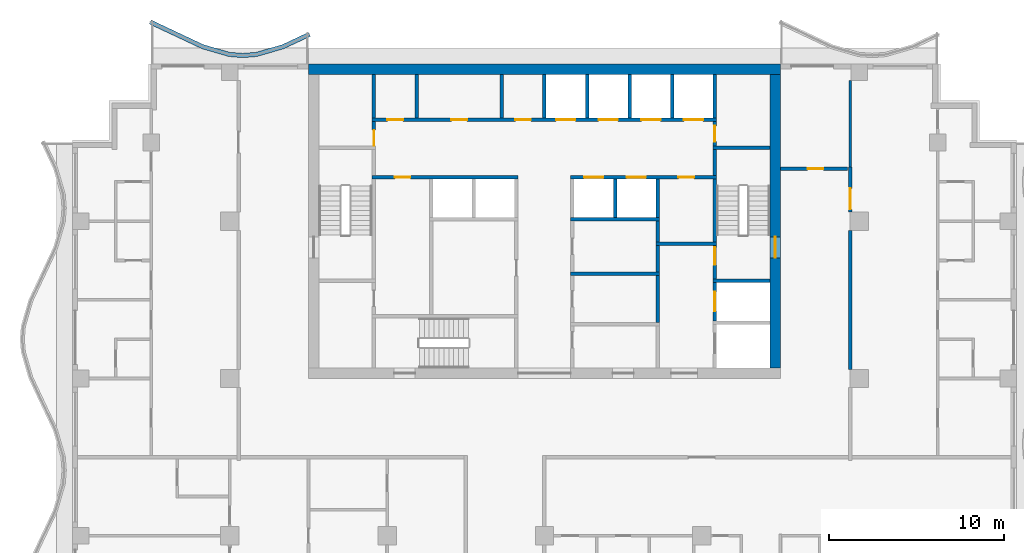
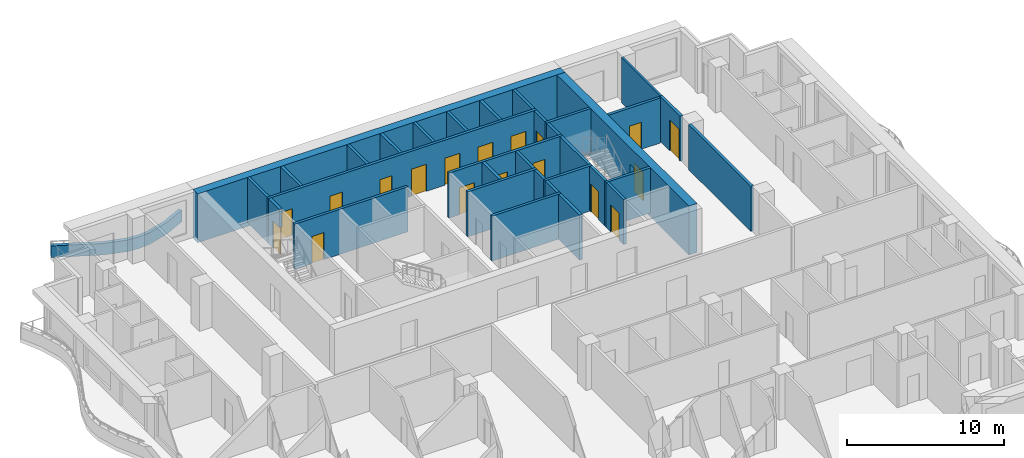
# One storey, part 6 of 11: 34 walls, 18 doors, 18 openings.
"""IFC4 building model written with IfcOpenShell, lengths in metres."""

from ifc_helpers import new_model, si_unit, direction, frame, frame_2d, origin, place, context, subcontext, project, spatial, polyline, rectangle, outline, extrude, material, layer, layer_set, type_object, element, fill, save


model = new_model("IFC4")

# Units and contexts
model_context = context("Model", 3, precision=1e-05, world=origin(), true_north=direction((0.0, 1.0)))
body_context = subcontext(model_context, "Body", "Model", "MODEL_VIEW")
ifc_project = project(units=[si_unit("LENGTHUNIT", "METRE"), si_unit("AREAUNIT", "SQUARE_METRE"), si_unit("VOLUMEUNIT", "CUBIC_METRE"), si_unit("PLANEANGLEUNIT", "RADIAN"), si_unit("MASSUNIT", "GRAM", prefix="KILO")], contexts=[model_context])

# Site, building, storey
site_placement = place(None, origin())
site = spatial("IfcSite", under=ifc_project, at=site_placement, CompositionType="ELEMENT")
building_placement = place(site_placement, origin())
building = spatial("IfcBuilding", under=site, at=building_placement, Name="Orbiselva Terraces", CompositionType="ELEMENT")
storey_placement = place(building_placement, frame((0.0, 0.0, 226.2)))
storey = spatial("IfcBuildingStorey", under=building, at=storey_placement, Name="L57", CompositionType="ELEMENT", Elevation=226.2)

# Wall, opening, door
ifc_material_1 = material(Name="Concrete C80/95", Category="concrete")
ifc_layer_1 = layer(ifc_material_1, 0.6)
ifc_layer_set_1 = layer_set([ifc_layer_1], Name="Concrete C80/95")
wall_type_1 = type_object("IfcWallType", Name="CORE WALL 600", PredefinedType="SHEAR", material=ifc_layer_set_1)
wall_1_placement = place(storey_placement, frame((13.2, 5.1, -0.3), z_axis=(0.0, 0.0, 1.0), x_axis=(0.0, 1.0, 0.0)))
wall_1 = element("IfcWall", 1, at=wall_1_placement, inside=storey, type_object=wall_type_1, Name="Core wall L57 east", PredefinedType="SHEAR", context=body_context, shape_type="SweptSolid", body=[
    extrude(rectangle(XDim=16.8, YDim=0.6, at=frame_2d((8.4, 0.0))), origin(), (0.0, 0.0, 1.0), 3.8),
])
opening_1_placement = place(wall_1_placement, frame((6.3, 0.0, 0.3)))
opening_1 = element("IfcOpeningElement", 2, at=opening_1_placement, cuts=wall_1, Name="Opening DS1200", PredefinedType="OPENING", context=body_context, shape_type="SweptSolid", body=[
    extrude(rectangle(XDim=1.2, YDim=2.2, at=frame_2d((0.6, 1.1))), frame((0.0, 0.31, 0.0), z_axis=(0.0, -1.0, 0.0), x_axis=(1.0, 0.0, 0.0)), (0.0, 0.0, 1.0), 0.62),
])
ifc_material_2 = material(Name="Steel fire door", Category="steel")
door_type_1 = type_object("IfcDoorType", Name="STAIR DOOR 1200", OperationType="NOTDEFINED", PredefinedType="DOOR", material=ifc_material_2)
door_1_placement = place(opening_1_placement, frame((1.2, 0.0, 0.0), z_axis=(0.0, 0.0, 1.0), x_axis=(-1.0, 0.0, 0.0)))
door_1 = element("IfcDoor", 3, at=door_1_placement, inside=storey, type_object=door_type_1, Name="L57 EXIT STAIR S2 door", OperationType="SINGLE_SWING_LEFT", OverallHeight=2.2, OverallWidth=1.2, PredefinedType="DOOR", context=body_context, shape_type="SweptSolid", body=[
    extrude(rectangle(XDim=1.2, YDim=2.2, at=frame_2d((0.6, 1.1))), frame((0.0, 0.025, 0.0), z_axis=(0.0, -1.0, 0.0), x_axis=(1.0, 0.0, 0.0)), (0.0, 0.0, 1.0), 0.05),
])
fill(opening_1, door_1)

# Wall
ifc_layer_2 = layer(ifc_material_1, 0.6)
ifc_layer_set_2 = layer_set([ifc_layer_2], Name="Concrete C80/95")
wall_type_2 = type_object("IfcWallType", Name="CORE WALL 600 EXTERNAL", PredefinedType="SHEAR", material=ifc_layer_set_2)
wall_2_placement = place(storey_placement, frame((13.5, 22.2, -0.3), z_axis=(0.0, 0.0, 1.0), x_axis=(-1.0, 0.0, 0.0)))
element("IfcWall", 4, at=wall_2_placement, inside=storey, type_object=wall_type_2, Name="Core wall L57 north", PredefinedType="SHEAR", context=body_context, shape_type="SweptSolid", body=[
    extrude(rectangle(XDim=27.0, YDim=0.6, at=frame_2d((13.5, 0.0))), origin(), (0.0, 0.0, 1.0), 3.8),
])

# Wall, opening, door
ifc_material_3 = material(Name="Masonry blockwork", Category="masonry")
ifc_layer_3 = layer(ifc_material_3, 0.2)
ifc_layer_set_3 = layer_set([ifc_layer_3], Name="Masonry blockwork")
wall_type_3 = type_object("IfcWallType", Name="CORE-WALL-PARTITION-200", PredefinedType="PARTITIONING", material=ifc_layer_set_3)
wall_3_placement = place(storey_placement, frame((-9.75, 17.8, 0.0), z_axis=(0.0, 0.0, 1.0), x_axis=(0.0, 1.0, 0.0)))
wall_3 = element("IfcWall", 5, at=wall_3_placement, inside=storey, type_object=wall_type_3, Name="L57 core wall 09", PredefinedType="PARTITIONING", context=body_context, shape_type="SweptSolid", body=[
    extrude(rectangle(XDim=1.4, YDim=0.2, at=frame_2d((0.7, 0.0))), origin(), (0.0, 0.0, 1.0), 3.5),
])
opening_2_placement = place(wall_3_placement, origin())
opening_2 = element("IfcOpeningElement", 6, at=opening_2_placement, cuts=wall_3, Name="Opening DR900", PredefinedType="OPENING", context=body_context, shape_type="SweptSolid", body=[
    extrude(rectangle(XDim=0.9, YDim=2.1, at=frame_2d((0.45, 1.05))), frame((0.0, 0.11, 0.0), z_axis=(0.0, -1.0, 0.0), x_axis=(1.0, 0.0, 0.0)), (0.0, 0.0, 1.0), 0.22),
])
door_type_2 = type_object("IfcDoorType", Name="ROOM DOOR 900", OperationType="NOTDEFINED", PredefinedType="DOOR", material=ifc_material_2)
door_2_placement = place(opening_2_placement, origin())
door_2 = element("IfcDoor", 7, at=door_2_placement, inside=storey, type_object=door_type_2, Name="L57 ELECTRICAL RISER ROOM door", OperationType="SINGLE_SWING_LEFT", OverallHeight=2.1, OverallWidth=0.9, PredefinedType="DOOR", context=body_context, shape_type="SweptSolid", body=[
    extrude(rectangle(XDim=0.9, YDim=2.1, at=frame_2d((0.45, 1.05))), frame((0.0, 0.025, 0.0), z_axis=(0.0, -1.0, 0.0), x_axis=(1.0, 0.0, 0.0)), (0.0, 0.0, 1.0), 0.05),
])
fill(opening_2, door_2)

# Walls
for number, where, z_axis, x_axis, name in (
    (8, (-9.75, 19.4, 0.0), (0.0, 0.0, 1.0), (0.0, 1.0, 0.0), "L57 core wall 11"),
    (9, (-7.3125, 19.4, 0.0), (0.0, 0.0, 1.0), (0.0, 1.0, 0.0), "L57 core wall 12"),
    (10, (-2.4375, 19.4, 0.0), (0.0, 0.0, 1.0), (0.0, 1.0, 0.0), "L57 core wall 17"),
):
    element("IfcWall", number, at=place(storey_placement, frame(where, z_axis=z_axis, x_axis=x_axis)), inside=storey, type_object=wall_type_3, Name=name, PredefinedType="PARTITIONING", context=body_context, shape_type="SweptSolid", body=[
        extrude(rectangle(XDim=2.5, YDim=0.2, at=frame_2d((1.25, 0.0))), origin(), (0.0, 0.0, 1.0), 3.5),
    ])
wall_4_placement = place(storey_placement, frame((6.475, 12.3, 0.0), z_axis=(0.0, 0.0, 1.0), x_axis=(0.0, 1.0, 0.0)))
element("IfcWall", 11, at=wall_4_placement, inside=storey, type_object=wall_type_3, Name="L57 core wall 37", PredefinedType="PARTITIONING", context=body_context, shape_type="SweptSolid", body=[
    extrude(rectangle(XDim=1.2, YDim=0.2, at=frame_2d((0.6, 0.0))), origin(), (0.0, 0.0, 1.0), 3.5),
])

# Wall, opening, door
wall_5_placement = place(storey_placement, frame((9.75, 19.2, 0.0), z_axis=(0.0, 0.0, 1.0), x_axis=(0.0, -1.0, 0.0)))
wall_5 = element("IfcWall", 12, at=wall_5_placement, inside=storey, type_object=wall_type_3, Name="L57 core wall 48", PredefinedType="PARTITIONING", context=body_context, shape_type="SweptSolid", body=[
    extrude(rectangle(XDim=1.4, YDim=0.2, at=frame_2d((0.7, 0.0))), origin(), (0.0, 0.0, 1.0), 3.5),
])
opening_3_placement = place(wall_5_placement, frame((0.25, 0.0, 0.0)))
opening_3 = element("IfcOpeningElement", 13, at=opening_3_placement, cuts=wall_5, Name="Opening DR900", PredefinedType="OPENING", context=body_context, shape_type="SweptSolid", body=[
    extrude(rectangle(XDim=0.9, YDim=2.1, at=frame_2d((0.45, 1.05))), frame((0.0, 0.11, 0.0), z_axis=(0.0, -1.0, 0.0), x_axis=(1.0, 0.0, 0.0)), (0.0, 0.0, 1.0), 0.22),
])
door_3_placement = place(opening_3_placement, origin())
door_3 = element("IfcDoor", 14, at=door_3_placement, inside=storey, type_object=door_type_2, Name="L57 COMMS RISER ROOM door", OperationType="SINGLE_SWING_RIGHT", OverallHeight=2.1, OverallWidth=0.9, PredefinedType="DOOR", context=body_context, shape_type="SweptSolid", body=[
    extrude(rectangle(XDim=0.9, YDim=2.1, at=frame_2d((0.45, 1.05))), frame((0.0, 0.025, 0.0), z_axis=(0.0, -1.0, 0.0), x_axis=(1.0, 0.0, 0.0)), (0.0, 0.0, 1.0), 0.05),
])
fill(opening_3, door_3)

# Walls
ifc_material_4 = material(Name="Concrete C40/50", Category="concrete")
ifc_layer_4 = layer(ifc_material_4, 0.2)
ifc_layer_set_4 = layer_set([ifc_layer_4], Name="Concrete C40/50")
wall_type_4 = type_object("IfcWallType", Name="CORE-WALL-SHAFT-200", PredefinedType="PARTITIONING", material=ifc_layer_set_4)
for number, where, z_axis, x_axis, name in (
    (15, (0.0, 19.4, 0.0), (0.0, 0.0, 1.0), (0.0, 1.0, 0.0), "L57 core wall 21"),
    (16, (2.4375, 19.4, 0.0), (0.0, 0.0, 1.0), (0.0, 1.0, 0.0), "L57 core wall 30"),
):
    element("IfcWall", number, at=place(storey_placement, frame(where, z_axis=z_axis, x_axis=x_axis)), inside=storey, type_object=wall_type_4, Name=name, PredefinedType="PARTITIONING", context=body_context, shape_type="SweptSolid", body=[
        extrude(rectangle(XDim=2.5, YDim=0.2, at=frame_2d((1.25, 0.0))), origin(), (0.0, 0.0, 1.0), 3.5),
    ])
wall_6_placement = place(storey_placement, frame((4.0375, 13.7, 0.0), z_axis=(0.0, 0.0, 1.0), x_axis=(0.0, 1.0, 0.0)))
element("IfcWall", 17, at=wall_6_placement, inside=storey, type_object=wall_type_4, Name="L57 core wall 31", PredefinedType="PARTITIONING", context=body_context, shape_type="SweptSolid", body=[
    extrude(rectangle(XDim=2.2, YDim=0.2, at=frame_2d((1.1, 0.0))), origin(), (0.0, 0.0, 1.0), 3.5),
])
wall_7_placement = place(storey_placement, frame((4.875, 19.4, 0.0), z_axis=(0.0, 0.0, 1.0), x_axis=(0.0, 1.0, 0.0)))
element("IfcWall", 18, at=wall_7_placement, inside=storey, type_object=wall_type_4, Name="L57 core wall 32", PredefinedType="PARTITIONING", context=body_context, shape_type="SweptSolid", body=[
    extrude(rectangle(XDim=2.5, YDim=0.2, at=frame_2d((1.25, 0.0))), origin(), (0.0, 0.0, 1.0), 3.5),
])
wall_8_placement = place(storey_placement, frame((6.475, 13.7, 0.0), z_axis=(0.0, 0.0, 1.0), x_axis=(0.0, 1.0, 0.0)))
element("IfcWall", 19, at=wall_8_placement, inside=storey, type_object=wall_type_4, Name="L57 core wall 38", PredefinedType="PARTITIONING", context=body_context, shape_type="SweptSolid", body=[
    extrude(rectangle(XDim=2.2, YDim=0.2, at=frame_2d((1.1, 0.0))), origin(), (0.0, 0.0, 1.0), 3.5),
])
for number, where, z_axis, x_axis, name in (
    (20, (7.3125, 19.4, 0.0), (0.0, 0.0, 1.0), (0.0, 1.0, 0.0), "L57 core wall 39"),
    (21, (9.75, 19.4, 0.0), (0.0, 0.0, 1.0), (0.0, 1.0, 0.0), "L57 core wall 49"),
):
    element("IfcWall", number, at=place(storey_placement, frame(where, z_axis=z_axis, x_axis=x_axis)), inside=storey, type_object=wall_type_4, Name=name, PredefinedType="PARTITIONING", context=body_context, shape_type="SweptSolid", body=[
        extrude(rectangle(XDim=2.5, YDim=0.2, at=frame_2d((1.25, 0.0))), origin(), (0.0, 0.0, 1.0), 3.5),
    ])

# Wall, opening, door
ifc_material_5 = material(Name="Concrete C60/75", Category="concrete")
ifc_layer_5 = layer(ifc_material_5, 0.2)
ifc_layer_set_5 = layer_set([ifc_layer_5], Name="Concrete C60/75")
wall_type_5 = type_object("IfcWallType", Name="CORE-WALL-SHEAR-200", PredefinedType="SHEAR", material=ifc_layer_set_5)
wall_9_placement = place(storey_placement, frame((-1.5, 16.0, 0.0), z_axis=(0.0, 0.0, 1.0), x_axis=(-1.0, 0.0, 0.0)))
wall_9 = element("IfcWall", 22, at=wall_9_placement, inside=storey, type_object=wall_type_5, Name="L57 core wall 07", PredefinedType="SHEAR", context=body_context, shape_type="SweptSolid", body=[
    extrude(rectangle(XDim=8.35, YDim=0.2, at=frame_2d((4.175, 0.0))), origin(), (0.0, 0.0, 1.0), 3.5),
])
opening_4_placement = place(wall_9_placement, frame((6.1625, 0.0, 0.0)))
opening_4 = element("IfcOpeningElement", 23, at=opening_4_placement, cuts=wall_9, Name="Opening DR900", PredefinedType="OPENING", context=body_context, shape_type="SweptSolid", body=[
    extrude(rectangle(XDim=0.9, YDim=2.1, at=frame_2d((0.45, 1.05))), frame((0.0, 0.11, 0.0), z_axis=(0.0, -1.0, 0.0), x_axis=(1.0, 0.0, 0.0)), (0.0, 0.0, 1.0), 0.22),
])
door_4_placement = place(opening_4_placement, origin())
door_4 = element("IfcDoor", 24, at=door_4_placement, inside=storey, type_object=door_type_2, Name="L57 STAFF PANTRY door", OperationType="SINGLE_SWING_RIGHT", OverallHeight=2.1, OverallWidth=0.9, PredefinedType="DOOR", context=body_context, shape_type="SweptSolid", body=[
    extrude(rectangle(XDim=0.9, YDim=2.1, at=frame_2d((0.45, 1.05))), frame((0.0, 0.025, 0.0), z_axis=(0.0, -1.0, 0.0), x_axis=(1.0, 0.0, 0.0)), (0.0, 0.0, 1.0), 0.05),
])
fill(opening_4, door_4)

# Wall, openings, doors
wall_10_placement = place(storey_placement, frame((-9.85, 19.3, 0.0), z_axis=(0.0, 0.0, 1.0), x_axis=(1.0, 0.0, 0.0)))
wall_10 = element("IfcWall", 25, at=wall_10_placement, inside=storey, type_object=wall_type_5, Name="L57 core wall 10", PredefinedType="SHEAR", context=body_context, shape_type="SweptSolid", body=[
    extrude(rectangle(XDim=19.7, YDim=0.2, at=frame_2d((9.85, 0.0))), origin(), (0.0, 0.0, 1.0), 3.5),
])
opening_5_placement = place(wall_10_placement, frame((10.51875, 0.0, 0.0)))
opening_5 = element("IfcOpeningElement", 26, at=opening_5_placement, cuts=wall_10, Name="Opening LD-HR1", PredefinedType="OPENING", context=body_context, shape_type="SweptSolid", body=[
    extrude(rectangle(XDim=1.1, YDim=2.1, at=frame_2d((0.55, 1.05))), frame((0.0, 0.11, 0.0), z_axis=(0.0, -1.0, 0.0), x_axis=(1.0, 0.0, 0.0)), (0.0, 0.0, 1.0), 0.22),
])
opening_6_placement = place(wall_10_placement, frame((12.95625, 0.0, 0.0)))
opening_6 = element("IfcOpeningElement", 27, at=opening_6_placement, cuts=wall_10, Name="Opening LD-HR2", PredefinedType="OPENING", context=body_context, shape_type="SweptSolid", body=[
    extrude(rectangle(XDim=1.1, YDim=2.1, at=frame_2d((0.55, 1.05))), frame((0.0, 0.11, 0.0), z_axis=(0.0, -1.0, 0.0), x_axis=(1.0, 0.0, 0.0)), (0.0, 0.0, 1.0), 0.22),
])
opening_7_placement = place(wall_10_placement, frame((15.39375, 0.0, 0.0)))
opening_7 = element("IfcOpeningElement", 28, at=opening_7_placement, cuts=wall_10, Name="Opening LD-HR3", PredefinedType="OPENING", context=body_context, shape_type="SweptSolid", body=[
    extrude(rectangle(XDim=1.1, YDim=2.1, at=frame_2d((0.55, 1.05))), frame((0.0, 0.11, 0.0), z_axis=(0.0, -1.0, 0.0), x_axis=(1.0, 0.0, 0.0)), (0.0, 0.0, 1.0), 0.22),
])
opening_8_placement = place(wall_10_placement, frame((17.83125, 0.0, 0.0)))
opening_8 = element("IfcOpeningElement", 29, at=opening_8_placement, cuts=wall_10, Name="Opening LD-HR4", PredefinedType="OPENING", context=body_context, shape_type="SweptSolid", body=[
    extrude(rectangle(XDim=1.1, YDim=2.1, at=frame_2d((0.55, 1.05))), frame((0.0, 0.11, 0.0), z_axis=(0.0, -1.0, 0.0), x_axis=(1.0, 0.0, 0.0)), (0.0, 0.0, 1.0), 0.22),
])
opening_9_placement = place(wall_10_placement, frame((0.8688, 0.0, 0.0)))
opening_9 = element("IfcOpeningElement", 30, at=opening_9_placement, cuts=wall_10, Name="Opening DR900", PredefinedType="OPENING", context=body_context, shape_type="SweptSolid", body=[
    extrude(rectangle(XDim=0.9, YDim=2.1, at=frame_2d((0.45, 1.05))), frame((0.0, 0.11, 0.0), z_axis=(0.0, -1.0, 0.0), x_axis=(1.0, 0.0, 0.0)), (0.0, 0.0, 1.0), 0.22),
])
opening_10_placement = place(wall_10_placement, frame((4.525, 0.0, 0.0)))
opening_10 = element("IfcOpeningElement", 31, at=opening_10_placement, cuts=wall_10, Name="Opening DR900", PredefinedType="OPENING", context=body_context, shape_type="SweptSolid", body=[
    extrude(rectangle(XDim=0.9, YDim=2.1, at=frame_2d((0.45, 1.05))), frame((0.0, 0.11, 0.0), z_axis=(0.0, -1.0, 0.0), x_axis=(1.0, 0.0, 0.0)), (0.0, 0.0, 1.0), 0.22),
])
opening_11_placement = place(wall_10_placement, frame((8.1812, 0.0, 0.0)))
opening_11 = element("IfcOpeningElement", 32, at=opening_11_placement, cuts=wall_10, Name="Opening DR900", PredefinedType="OPENING", context=body_context, shape_type="SweptSolid", body=[
    extrude(rectangle(XDim=0.9, YDim=2.1, at=frame_2d((0.45, 1.05))), frame((0.0, 0.11, 0.0), z_axis=(0.0, -1.0, 0.0), x_axis=(1.0, 0.0, 0.0)), (0.0, 0.0, 1.0), 0.22),
])
ifc_material_6 = material(Name="Stainless steel landing door", Category="steel")
door_type_3 = type_object("IfcDoorType", Name="LANDING DOOR 1100", OperationType="SLIDING_TO_LEFT", PredefinedType="DOOR", material=ifc_material_6)
door_5_placement = place(opening_5_placement, origin())
door_5 = element("IfcDoor", 33, at=door_5_placement, inside=storey, type_object=door_type_3, Name="L57 landing door HR1", OperationType="SLIDING_TO_RIGHT", OverallHeight=2.1, OverallWidth=1.1, PredefinedType="DOOR", context=body_context, shape_type="SweptSolid", body=[
    extrude(rectangle(XDim=1.1, YDim=2.1, at=frame_2d((0.55, 1.05))), frame((0.0, 0.025, 0.0), z_axis=(0.0, -1.0, 0.0), x_axis=(1.0, 0.0, 0.0)), (0.0, 0.0, 1.0), 0.05),
])
fill(opening_5, door_5)
door_6_placement = place(opening_6_placement, origin())
door_6 = element("IfcDoor", 34, at=door_6_placement, inside=storey, type_object=door_type_3, Name="L57 landing door HR2", OperationType="SLIDING_TO_RIGHT", OverallHeight=2.1, OverallWidth=1.1, PredefinedType="DOOR", context=body_context, shape_type="SweptSolid", body=[
    extrude(rectangle(XDim=1.1, YDim=2.1, at=frame_2d((0.55, 1.05))), frame((0.0, 0.025, 0.0), z_axis=(0.0, -1.0, 0.0), x_axis=(1.0, 0.0, 0.0)), (0.0, 0.0, 1.0), 0.05),
])
fill(opening_6, door_6)
door_7_placement = place(opening_7_placement, origin())
door_7 = element("IfcDoor", 35, at=door_7_placement, inside=storey, type_object=door_type_3, Name="L57 landing door HR3", OperationType="SLIDING_TO_RIGHT", OverallHeight=2.1, OverallWidth=1.1, PredefinedType="DOOR", context=body_context, shape_type="SweptSolid", body=[
    extrude(rectangle(XDim=1.1, YDim=2.1, at=frame_2d((0.55, 1.05))), frame((0.0, 0.025, 0.0), z_axis=(0.0, -1.0, 0.0), x_axis=(1.0, 0.0, 0.0)), (0.0, 0.0, 1.0), 0.05),
])
fill(opening_7, door_7)
door_8_placement = place(opening_8_placement, origin())
door_8 = element("IfcDoor", 36, at=door_8_placement, inside=storey, type_object=door_type_3, Name="L57 landing door HR4", OperationType="SLIDING_TO_RIGHT", OverallHeight=2.1, OverallWidth=1.1, PredefinedType="DOOR", context=body_context, shape_type="SweptSolid", body=[
    extrude(rectangle(XDim=1.1, YDim=2.1, at=frame_2d((0.55, 1.05))), frame((0.0, 0.025, 0.0), z_axis=(0.0, -1.0, 0.0), x_axis=(1.0, 0.0, 0.0)), (0.0, 0.0, 1.0), 0.05),
])
fill(opening_8, door_8)
door_9_placement = place(opening_9_placement, origin())
door_9 = element("IfcDoor", 37, at=door_9_placement, inside=storey, type_object=door_type_2, Name="L57 STORE door", OperationType="SINGLE_SWING_LEFT", OverallHeight=2.1, OverallWidth=0.9, PredefinedType="DOOR", context=body_context, shape_type="SweptSolid", body=[
    extrude(rectangle(XDim=0.9, YDim=2.1, at=frame_2d((0.45, 1.05))), frame((0.0, 0.025, 0.0), z_axis=(0.0, -1.0, 0.0), x_axis=(1.0, 0.0, 0.0)), (0.0, 0.0, 1.0), 0.05),
])
fill(opening_9, door_9)
door_10_placement = place(opening_10_placement, origin())
door_10 = element("IfcDoor", 38, at=door_10_placement, inside=storey, type_object=door_type_2, Name="L57 IT ROOM door", OperationType="SINGLE_SWING_LEFT", OverallHeight=2.1, OverallWidth=0.9, PredefinedType="DOOR", context=body_context, shape_type="SweptSolid", body=[
    extrude(rectangle(XDim=0.9, YDim=2.1, at=frame_2d((0.45, 1.05))), frame((0.0, 0.025, 0.0), z_axis=(0.0, -1.0, 0.0), x_axis=(1.0, 0.0, 0.0)), (0.0, 0.0, 1.0), 0.05),
])
fill(opening_10, door_10)
door_11_placement = place(opening_11_placement, origin())
door_11 = element("IfcDoor", 39, at=door_11_placement, inside=storey, type_object=door_type_2, Name="L57 CLEANERS STORE door", OperationType="SINGLE_SWING_LEFT", OverallHeight=2.1, OverallWidth=0.9, PredefinedType="DOOR", context=body_context, shape_type="SweptSolid", body=[
    extrude(rectangle(XDim=0.9, YDim=2.1, at=frame_2d((0.45, 1.05))), frame((0.0, 0.025, 0.0), z_axis=(0.0, -1.0, 0.0), x_axis=(1.0, 0.0, 0.0)), (0.0, 0.0, 1.0), 0.05),
])
fill(opening_11, door_11)

# Walls
for number, where, z_axis, x_axis, name in (
    (40, (1.5, 10.5, 0.0), (0.0, 0.0, 1.0), (1.0, 0.0, 0.0), "L57 core wall 25"),
    (41, (1.5, 13.6, 0.0), (0.0, 0.0, 1.0), (1.0, 0.0, 0.0), "L57 core wall 27"),
):
    element("IfcWall", number, at=place(storey_placement, frame(where, z_axis=z_axis, x_axis=x_axis)), inside=storey, type_object=wall_type_5, Name=name, PredefinedType="SHEAR", context=body_context, shape_type="SweptSolid", body=[
        extrude(rectangle(XDim=5.075, YDim=0.2, at=frame_2d((2.5375, 0.0))), origin(), (0.0, 0.0, 1.0), 3.5),
    ])

# Wall, openings, doors
wall_11_placement = place(storey_placement, frame((9.85, 16.0, 0.0), z_axis=(0.0, 0.0, 1.0), x_axis=(-1.0, 0.0, 0.0)))
wall_11 = element("IfcWall", 42, at=wall_11_placement, inside=storey, type_object=wall_type_5, Name="L57 core wall 29", PredefinedType="SHEAR", context=body_context, shape_type="SweptSolid", body=[
    extrude(rectangle(XDim=8.35, YDim=0.2, at=frame_2d((4.175, 0.0))), origin(), (0.0, 0.0, 1.0), 3.5),
])
opening_12_placement = place(wall_11_placement, frame((6.48125, 0.0, 0.0)))
opening_12 = element("IfcOpeningElement", 43, at=opening_12_placement, cuts=wall_11, Name="Opening LD-HR5", PredefinedType="OPENING", context=body_context, shape_type="SweptSolid", body=[
    extrude(rectangle(XDim=1.1, YDim=2.1, at=frame_2d((0.55, 1.05))), frame((0.0, 0.11, 0.0), z_axis=(0.0, -1.0, 0.0), x_axis=(1.0, 0.0, 0.0)), (0.0, 0.0, 1.0), 0.22),
])
opening_13_placement = place(wall_11_placement, frame((4.04375, 0.0, 0.0)))
opening_13 = element("IfcOpeningElement", 44, at=opening_13_placement, cuts=wall_11, Name="Opening LD-HR6", PredefinedType="OPENING", context=body_context, shape_type="SweptSolid", body=[
    extrude(rectangle(XDim=1.1, YDim=2.1, at=frame_2d((0.55, 1.05))), frame((0.0, 0.11, 0.0), z_axis=(0.0, -1.0, 0.0), x_axis=(1.0, 0.0, 0.0)), (0.0, 0.0, 1.0), 0.22),
])
opening_14_placement = place(wall_11_placement, frame((1.2875, 0.0, 0.0)))
opening_14 = element("IfcOpeningElement", 45, at=opening_14_placement, cuts=wall_11, Name="Opening DR900", PredefinedType="OPENING", context=body_context, shape_type="SweptSolid", body=[
    extrude(rectangle(XDim=0.9, YDim=2.1, at=frame_2d((0.45, 1.05))), frame((0.0, 0.11, 0.0), z_axis=(0.0, -1.0, 0.0), x_axis=(1.0, 0.0, 0.0)), (0.0, 0.0, 1.0), 0.22),
])
door_12_placement = place(opening_12_placement, origin())
door_12 = element("IfcDoor", 46, at=door_12_placement, inside=storey, type_object=door_type_3, Name="L57 landing door HR5", OperationType="SLIDING_TO_RIGHT", OverallHeight=2.1, OverallWidth=1.1, PredefinedType="DOOR", context=body_context, shape_type="SweptSolid", body=[
    extrude(rectangle(XDim=1.1, YDim=2.1, at=frame_2d((0.55, 1.05))), frame((0.0, 0.025, 0.0), z_axis=(0.0, -1.0, 0.0), x_axis=(1.0, 0.0, 0.0)), (0.0, 0.0, 1.0), 0.05),
])
fill(opening_12, door_12)
door_13_placement = place(opening_13_placement, origin())
door_13 = element("IfcDoor", 47, at=door_13_placement, inside=storey, type_object=door_type_3, Name="L57 landing door HR6", OperationType="SLIDING_TO_RIGHT", OverallHeight=2.1, OverallWidth=1.1, PredefinedType="DOOR", context=body_context, shape_type="SweptSolid", body=[
    extrude(rectangle(XDim=1.1, YDim=2.1, at=frame_2d((0.55, 1.05))), frame((0.0, 0.025, 0.0), z_axis=(0.0, -1.0, 0.0), x_axis=(1.0, 0.0, 0.0)), (0.0, 0.0, 1.0), 0.05),
])
fill(opening_13, door_13)
door_14_placement = place(opening_14_placement, origin())
door_14 = element("IfcDoor", 48, at=door_14_placement, inside=storey, type_object=door_type_2, Name="L57 PIPE RISER ROOM door", OperationType="SINGLE_SWING_LEFT", OverallHeight=2.1, OverallWidth=0.9, PredefinedType="DOOR", context=body_context, shape_type="SweptSolid", body=[
    extrude(rectangle(XDim=0.9, YDim=2.1, at=frame_2d((0.45, 1.05))), frame((0.0, 0.025, 0.0), z_axis=(0.0, -1.0, 0.0), x_axis=(1.0, 0.0, 0.0)), (0.0, 0.0, 1.0), 0.05),
])
fill(opening_14, door_14)

# Walls
wall_12_placement = place(storey_placement, frame((6.475, 7.7, 0.0), z_axis=(0.0, 0.0, 1.0), x_axis=(0.0, 1.0, 0.0)))
element("IfcWall", 49, at=wall_12_placement, inside=storey, type_object=wall_type_5, Name="L57 core wall 34", PredefinedType="SHEAR", context=body_context, shape_type="SweptSolid", body=[
    extrude(rectangle(XDim=2.7, YDim=0.2, at=frame_2d((1.35, 0.0))), origin(), (0.0, 0.0, 1.0), 3.5),
])
wall_13_placement = place(storey_placement, frame((6.475, 10.6, 0.0), z_axis=(0.0, 0.0, 1.0), x_axis=(0.0, 1.0, 0.0)))
element("IfcWall", 50, at=wall_13_placement, inside=storey, type_object=wall_type_5, Name="L57 core wall 35", PredefinedType="SHEAR", context=body_context, shape_type="SweptSolid", body=[
    extrude(rectangle(XDim=1.5, YDim=0.2, at=frame_2d((0.75, 0.0))), origin(), (0.0, 0.0, 1.0), 3.5),
])
wall_14_placement = place(storey_placement, frame((6.375, 12.2, 0.0), z_axis=(0.0, 0.0, 1.0), x_axis=(1.0, 0.0, 0.0)))
element("IfcWall", 51, at=wall_14_placement, inside=storey, type_object=wall_type_5, Name="L57 core wall 36", PredefinedType="SHEAR", context=body_context, shape_type="SweptSolid", body=[
    extrude(rectangle(XDim=3.475, YDim=0.2, at=frame_2d((1.7375, 0.0))), origin(), (0.0, 0.0, 1.0), 3.5),
])

# Wall, opening, door
wall_15_placement = place(storey_placement, frame((9.75, 7.8, 0.0), z_axis=(0.0, 0.0, 1.0), x_axis=(0.0, 1.0, 0.0)))
wall_15 = element("IfcWall", 52, at=wall_15_placement, inside=storey, type_object=wall_type_5, Name="L57 core wall 42", PredefinedType="SHEAR", context=body_context, shape_type="SweptSolid", body=[
    extrude(rectangle(XDim=2.2, YDim=0.2, at=frame_2d((1.1, 0.0))), origin(), (0.0, 0.0, 1.0), 3.5),
])
opening_15_placement = place(wall_15_placement, frame((0.55, 0.0, 0.0)))
opening_15 = element("IfcOpeningElement", 53, at=opening_15_placement, cuts=wall_15, Name="Opening LD-FF2", PredefinedType="OPENING", context=body_context, shape_type="SweptSolid", body=[
    extrude(rectangle(XDim=1.1, YDim=2.1, at=frame_2d((0.55, 1.05))), frame((0.0, 0.11, 0.0), z_axis=(0.0, -1.0, 0.0), x_axis=(1.0, 0.0, 0.0)), (0.0, 0.0, 1.0), 0.22),
])
door_15_placement = place(opening_15_placement, origin())
door_15 = element("IfcDoor", 54, at=door_15_placement, inside=storey, type_object=door_type_3, Name="L57 landing door FF2", OperationType="SLIDING_TO_RIGHT", OverallHeight=2.1, OverallWidth=1.1, PredefinedType="DOOR", context=body_context, shape_type="SweptSolid", body=[
    extrude(rectangle(XDim=1.1, YDim=2.1, at=frame_2d((0.55, 1.05))), frame((0.0, 0.025, 0.0), z_axis=(0.0, -1.0, 0.0), x_axis=(1.0, 0.0, 0.0)), (0.0, 0.0, 1.0), 0.05),
])
fill(opening_15, door_15)

# Wall
wall_16_placement = place(storey_placement, frame((9.65, 10.1, 0.0), z_axis=(0.0, 0.0, 1.0), x_axis=(1.0, 0.0, 0.0)))
element("IfcWall", 55, at=wall_16_placement, inside=storey, type_object=wall_type_5, Name="L57 core wall 43", PredefinedType="SHEAR", context=body_context, shape_type="SweptSolid", body=[
    extrude(rectangle(XDim=3.25, YDim=0.2, at=frame_2d((1.625, 0.0))), origin(), (0.0, 0.0, 1.0), 3.5),
])

# Wall, opening, door
wall_17_placement = place(storey_placement, frame((9.75, 12.1, 0.0), z_axis=(0.0, 0.0, 1.0), x_axis=(0.0, -1.0, 0.0)))
wall_17 = element("IfcWall", 56, at=wall_17_placement, inside=storey, type_object=wall_type_5, Name="L57 core wall 44", PredefinedType="SHEAR", context=body_context, shape_type="SweptSolid", body=[
    extrude(rectangle(XDim=1.9, YDim=0.2, at=frame_2d((0.95, 0.0))), origin(), (0.0, 0.0, 1.0), 3.5),
])
opening_16_placement = place(wall_17_placement, frame((0.1, 0.0, 0.0)))
opening_16 = element("IfcOpeningElement", 57, at=opening_16_placement, cuts=wall_17, Name="Opening DS1000", PredefinedType="OPENING", context=body_context, shape_type="SweptSolid", body=[
    extrude(rectangle(XDim=1.0, YDim=2.2, at=frame_2d((0.5, 1.1))), frame((0.0, 0.11, 0.0), z_axis=(0.0, -1.0, 0.0), x_axis=(1.0, 0.0, 0.0)), (0.0, 0.0, 1.0), 0.22),
])
door_type_4 = type_object("IfcDoorType", Name="STAIR DOOR 1000", OperationType="NOTDEFINED", PredefinedType="DOOR", material=ifc_material_2)
door_16_placement = place(opening_16_placement, origin())
door_16 = element("IfcDoor", 58, at=door_16_placement, inside=storey, type_object=door_type_4, Name="L57 FIRE-FIGHTING LOBBY TO EXIT STAIR S2 door", OperationType="SINGLE_SWING_LEFT", OverallHeight=2.2, OverallWidth=1.0, PredefinedType="DOOR", context=body_context, shape_type="SweptSolid", body=[
    extrude(rectangle(XDim=1.0, YDim=2.2, at=frame_2d((0.5, 1.1))), frame((0.0, 0.025, 0.0), z_axis=(0.0, -1.0, 0.0), x_axis=(1.0, 0.0, 0.0)), (0.0, 0.0, 1.0), 0.05),
])
fill(opening_16, door_16)

# Walls
wall_18_placement = place(storey_placement, frame((9.75, 12.3, 0.0), z_axis=(0.0, 0.0, 1.0), x_axis=(0.0, 1.0, 0.0)))
element("IfcWall", 59, at=wall_18_placement, inside=storey, type_object=wall_type_5, Name="L57 core wall 45", PredefinedType="SHEAR", context=body_context, shape_type="SweptSolid", body=[
    extrude(rectangle(XDim=3.6, YDim=0.2, at=frame_2d((1.8, 0.0))), origin(), (0.0, 0.0, 1.0), 3.5),
])
wall_19_placement = place(storey_placement, frame((9.75, 16.1, 0.0), z_axis=(0.0, 0.0, 1.0), x_axis=(0.0, 1.0, 0.0)))
element("IfcWall", 60, at=wall_19_placement, inside=storey, type_object=wall_type_5, Name="L57 core wall 46", PredefinedType="SHEAR", context=body_context, shape_type="SweptSolid", body=[
    extrude(rectangle(XDim=1.5, YDim=0.2, at=frame_2d((0.75, 0.0))), origin(), (0.0, 0.0, 1.0), 3.5),
])
wall_20_placement = place(storey_placement, frame((9.65, 17.7, 0.0), z_axis=(0.0, 0.0, 1.0), x_axis=(1.0, 0.0, 0.0)))
element("IfcWall", 61, at=wall_20_placement, inside=storey, type_object=wall_type_5, Name="L57 core wall 47", PredefinedType="SHEAR", context=body_context, shape_type="SweptSolid", body=[
    extrude(rectangle(XDim=3.25, YDim=0.2, at=frame_2d((1.625, 0.0))), origin(), (0.0, 0.0, 1.0), 3.5),
])
ifc_layer_6 = layer(ifc_material_4, 0.25)
ifc_layer_set_6 = layer_set([ifc_layer_6], Name="Concrete C40/50")
wall_type_6 = type_object("IfcWallType", Name="ENV-PLANTER-250x900", PredefinedType="USERDEFINED", material=ifc_layer_set_6)
wall_21_placement = place(storey_placement, origin())
element("IfcWall", 62, at=wall_21_placement, inside=storey, type_object=wall_type_6, Name="Balcony planter L57 NW", ObjectType="PLANTER", PredefinedType="USERDEFINED", context=body_context, shape_type="SweptSolid", body=[
    extrude(outline(polyline([(-13.5, 24.3), (-15.0, 23.594658), (-16.5, 23.158732), (-17.25, 23.1), (-18.0, 23.158732), (-19.5, 23.594658), (-21.0, 24.3), (-22.5, 25.005342), (-22.606383, 24.779106), (-21.106383, 24.073764), (-19.588618, 23.360069), (-18.045114, 22.911499), (-17.25, 22.849235), (-16.454886, 22.911499), (-14.911382, 23.360069), (-13.393617, 24.073764), (-13.5, 24.3)])), origin(), (0.0, 0.0, 1.0), 0.9),
])

# Wall, opening, door
ifc_material_7 = material(Name="Plasterboard on steel stud partition", Category="steel")
ifc_layer_7 = layer(ifc_material_7, 0.2)
ifc_layer_set_7 = layer_set([ifc_layer_7], Name="Plasterboard on steel stud partition")
wall_type_7 = type_object("IfcWallType", Name="UNIT-ENTRANCE-WALL-200", PredefinedType="PARTITIONING", material=ifc_layer_set_7)
wall_22_placement = place(storey_placement, frame((13.5, 16.5, 0.0), z_axis=(0.0, 0.0, 1.0), x_axis=(1.0, 0.0, 0.0)))
wall_22 = element("IfcWall", 63, at=wall_22_placement, inside=storey, type_object=wall_type_7, Name="PARTITION L57-046", PredefinedType="PARTITIONING", context=body_context, shape_type="SweptSolid", body=[
    extrude(rectangle(XDim=3.825, YDim=0.2, at=frame_2d((1.9125, 0.0))), origin(), (0.0, 0.0, 1.0), 3.5),
])
opening_17_placement = place(wall_22_placement, frame((1.55, 0.0, 0.0)))
opening_17 = element("IfcOpeningElement", 64, at=opening_17_placement, cuts=wall_22, Name="Opening Z4-E-01", PredefinedType="OPENING", context=body_context, shape_type="SweptSolid", body=[
    extrude(rectangle(XDim=0.9, YDim=2.1, at=frame_2d((0.45, 1.05))), frame((0.0, 0.11, 0.0), z_axis=(0.0, -1.0, 0.0), x_axis=(1.0, 0.0, 0.0)), (0.0, 0.0, 1.0), 0.22),
])
ifc_material_8 = material(Name="Painted timber door leaf", Category="wood")
door_type_5 = type_object("IfcDoorType", Name="SERVICE DOOR 900", OperationType="NOTDEFINED", PredefinedType="DOOR", material=ifc_material_8)
door_17_placement = place(opening_17_placement, origin())
door_17 = element("IfcDoor", 65, at=door_17_placement, inside=storey, type_object=door_type_5, Name="Z4-E-01", OperationType="SINGLE_SWING_RIGHT", OverallHeight=2.1, OverallWidth=0.9, PredefinedType="DOOR", context=body_context, shape_type="SweptSolid", body=[
    extrude(rectangle(XDim=0.9, YDim=2.1, at=frame_2d((0.45, 1.05))), frame((0.0, 0.025, 0.0), z_axis=(0.0, -1.0, 0.0), x_axis=(1.0, 0.0, 0.0)), (0.0, 0.0, 1.0), 0.05),
])
fill(opening_17, door_17)

# Wall
wall_23_placement = place(storey_placement, frame((17.5, 5.025, 0.0), z_axis=(0.0, 0.0, 1.0), x_axis=(0.0, 1.0, 0.0)))
element("IfcWall", 66, at=wall_23_placement, inside=storey, type_object=wall_type_7, Name="PARTITION L57-082", PredefinedType="PARTITIONING", context=body_context, shape_type="SweptSolid", body=[
    extrude(rectangle(XDim=7.95, YDim=0.2, at=frame_2d((3.975, 0.0))), origin(), (0.0, 0.0, 1.0), 3.5),
])

# Wall, opening, door
wall_24_placement = place(storey_placement, frame((17.5, 16.6, 0.0), z_axis=(0.0, 0.0, 1.0), x_axis=(0.0, -1.0, 0.0)))
wall_24 = element("IfcWall", 67, at=wall_24_placement, inside=storey, type_object=wall_type_7, Name="PARTITION L57-083", PredefinedType="PARTITIONING", context=body_context, shape_type="SweptSolid", body=[
    extrude(rectangle(XDim=2.575, YDim=0.2, at=frame_2d((1.2875, 0.0))), origin(), (0.0, 0.0, 1.0), 3.5),
])
opening_18_placement = place(wall_24_placement, frame((1.225, 0.0, 0.0)))
opening_18 = element("IfcOpeningElement", 68, at=opening_18_placement, cuts=wall_24, Name="Opening Z4-E-10", PredefinedType="OPENING", context=body_context, shape_type="SweptSolid", body=[
    extrude(rectangle(XDim=1.2, YDim=2.4, at=frame_2d((0.6, 1.2))), frame((0.0, 0.11, 0.0), z_axis=(0.0, -1.0, 0.0), x_axis=(1.0, 0.0, 0.0)), (0.0, 0.0, 1.0), 0.22),
])
door_type_6 = type_object("IfcDoorType", Name="ENTRANCE DOOR 1200", OperationType="NOTDEFINED", PredefinedType="DOOR", material=ifc_material_8)
door_18_placement = place(opening_18_placement, origin())
door_18 = element("IfcDoor", 69, at=door_18_placement, inside=storey, type_object=door_type_6, Name="Z4-E-10", OperationType="SINGLE_SWING_RIGHT", OverallHeight=2.4, OverallWidth=1.2, PredefinedType="DOOR", context=body_context, shape_type="SweptSolid", body=[
    extrude(rectangle(XDim=1.2, YDim=2.4, at=frame_2d((0.6, 1.2))), frame((0.0, 0.025, 0.0), z_axis=(0.0, -1.0, 0.0), x_axis=(1.0, 0.0, 0.0)), (0.0, 0.0, 1.0), 0.05),
])
fill(opening_18, door_18)

# Wall
ifc_layer_8 = layer(ifc_material_7, 0.15)
ifc_layer_set_8 = layer_set([ifc_layer_8], Name="Plasterboard on steel stud partition")
wall_type_8 = type_object("IfcWallType", Name="UNIT-PARTITION-150", PredefinedType="PARTITIONING", material=ifc_layer_set_8)
wall_25_placement = place(storey_placement, frame((17.5, 16.4, 0.0), z_axis=(0.0, 0.0, 1.0), x_axis=(0.0, 1.0, 0.0)))
element("IfcWall", 70, at=wall_25_placement, inside=storey, type_object=wall_type_8, Name="PARTITION L57-084", PredefinedType="PARTITIONING", context=body_context, shape_type="SweptSolid", body=[
    extrude(rectangle(XDim=5.15, YDim=0.15, at=frame_2d((2.575, 0.0))), origin(), (0.0, 0.0, 1.0), 3.5),
])

save(model, "model.ifc")
